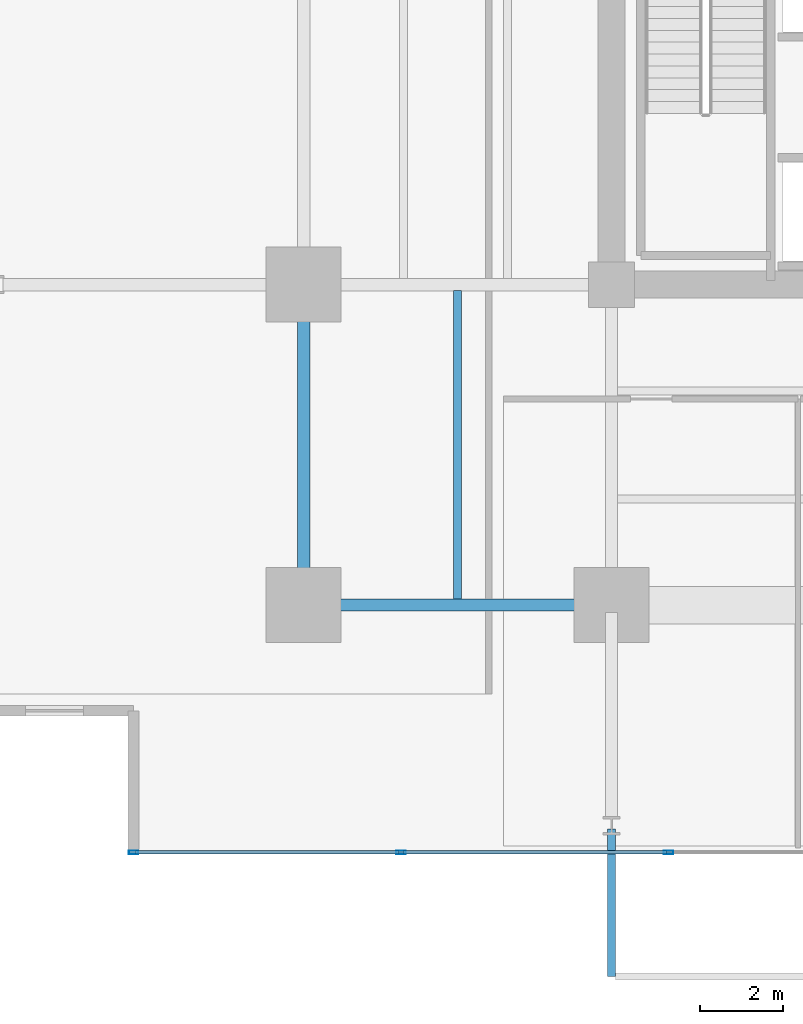
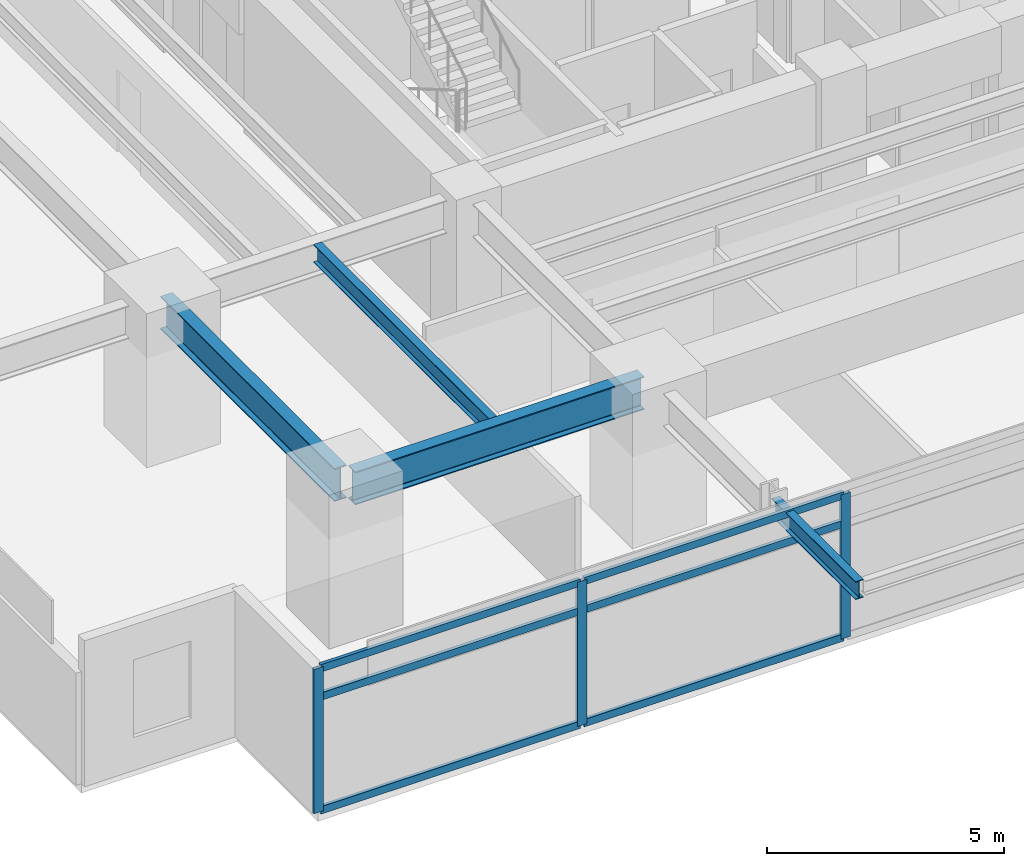
# One storey, part 2 of 19: 9 members, 4 beams, 1 element without a shape of its own.
"""IFC4 building model written with IfcOpenShell, lengths in metres."""

from ifc_helpers import new_model, si_unit, direction, frame, origin, origin_2d, place, context, subcontext, project, spatial, hollow_rectangle, i_section, extrude, material, material_profile, profile_set, type_object, element, aggregate, save


model = new_model("IFC4")

# Units and contexts
model_context = context("Model", 3, precision=1e-05, world=origin(), true_north=direction((0.0, 1.0)))
body_context = subcontext(model_context, "Body", "Model", "MODEL_VIEW")
ifc_project = project(units=[si_unit("LENGTHUNIT", "METRE"), si_unit("AREAUNIT", "SQUARE_METRE"), si_unit("VOLUMEUNIT", "CUBIC_METRE"), si_unit("PLANEANGLEUNIT", "RADIAN"), si_unit("MASSUNIT", "GRAM", prefix="KILO")], contexts=[model_context])

# Site, building, storey
site_placement = place(None, origin())
site = spatial("IfcSite", under=ifc_project, at=site_placement, CompositionType="ELEMENT")
building_placement = place(site_placement, origin())
building = spatial("IfcBuilding", under=site, at=building_placement, Name="Kovane Verandah Tower", CompositionType="ELEMENT")
storey_placement = place(building_placement, frame((0.0, 0.0, 83.60009765625)))
storey = spatial("IfcBuildingStorey", under=building, at=storey_placement, Name="L19", CompositionType="ELEMENT", Elevation=83.60009765625)

# Beams
ifc_material_1 = material(Name="Steel S355", Category="steel")
ifc_material_profile_1 = material_profile(ifc_material_1, i_section(OverallWidth=0.293701171875, OverallDepth=0.850830078125, WebThickness=0.01611328125, FlangeThickness=0.02685546875, FilletRadius=0.017822265625, at=origin_2d()), Name="UB838x292x226")
ifc_profile_set_1 = profile_set([ifc_material_profile_1], Name="Steel S355")
beam_type_1 = type_object("IfcBeamType", Name="BM-UB838x226", PredefinedType="BEAM", material=ifc_profile_set_1)
beam_1_placement = place(storey_placement, frame((21.780029296875, 10.800048828125, 3.33447265625), z_axis=(1.0, 0.0, 0.0), x_axis=(0.0, 1.0, 0.0)))
element("IfcBeam", 1, at=beam_1_placement, inside=storey, type_object=beam_type_1, Name="L19 Primary Tower Girder G-RS1", PredefinedType="BEAM", context=body_context, shape_type="SweptSolid", body=[
    extrude(i_section(OverallWidth=0.293701171875, OverallDepth=0.850830078125, WebThickness=0.01611328125, FlangeThickness=0.02685546875, FilletRadius=0.017822265625, at=origin_2d()), origin(), (0.0, 0.0, 1.0), 7.0400390625),
])
beam_2_placement = place(storey_placement, frame((21.60009765625, 10.97998046875, 3.33447265625), z_axis=(0.0, 1.0, 0.0), x_axis=(-1.0, 0.0, 0.0)))
element("IfcBeam", 2, at=beam_2_placement, inside=storey, type_object=beam_type_1, Name="L19 Primary Tower Girder G-RW1", PredefinedType="BEAM", context=body_context, shape_type="SweptSolid", body=[
    extrude(i_section(OverallWidth=0.293701171875, OverallDepth=0.850830078125, WebThickness=0.01611328125, FlangeThickness=0.02685546875, FilletRadius=0.017822265625, at=origin_2d()), origin(), (0.0, 0.0, 1.0), 7.340087890625),
])

# Curtain wall, members
ifc_material_2 = material(Name="Champagne Anodised Aluminium Frame with Low-E Clear Laminated Glass", Category="aluminium")
curtain_wall_type = type_object("IfcCurtainWallType", Name="CW-SYS-02-LOW", PredefinedType="NOTDEFINED", material=ifc_material_2)
curtain_wall_placement = place(storey_placement, origin())
curtain_wall = element("IfcCurtainWall", 3, at=curtain_wall_placement, inside=storey, type_object=curtain_wall_type, Name="L19 S Unitised Curtain Wall", PredefinedType="NOTDEFINED")
ifc_material_3 = material(Name="Champagne Anodised Aluminium 6063-T6", Category="aluminium")
ifc_material_profile_2 = material_profile(ifc_material_3, hollow_rectangle(XDim=0.0849609375, YDim=0.22998046875, WallThickness=0.00390625, at=origin_2d()), Name="AL85x230x4")
ifc_profile_set_2 = profile_set([ifc_material_profile_2], Name="Champagne Anodised Aluminium 6063-T6")
member_type_1 = type_object("IfcMemberType", Name="CW-MUL-85x230", PredefinedType="MULLION", material=ifc_profile_set_2)
member_1_placement = place(storey_placement, frame((17.515380859375, 4.86083984375, 0.02001953125), z_axis=(0.0, 0.0, 1.0), x_axis=(0.0, -1.0, 0.0)))
member_1 = element("IfcMember", 4, at=member_1_placement, type_object=member_type_1, Name="L19 S Unitised Curtain Wall Mullion 1", PredefinedType="MULLION", context=body_context, shape_type="SweptSolid", body=[
    extrude(hollow_rectangle(XDim=0.0849609375, YDim=0.22998046875, WallThickness=0.00390625, at=origin_2d()), origin(), (0.0, 0.0, 1.0), 3.719970703125),
])
member_2_placement = place(storey_placement, frame((23.939697265625, 4.86083984375, 0.02001953125), z_axis=(0.0, 0.0, 1.0), x_axis=(0.0, -1.0, 0.0)))
member_2 = element("IfcMember", 5, at=member_2_placement, type_object=member_type_1, Name="L19 S Unitised Curtain Wall Mullion 2", PredefinedType="MULLION", context=body_context, shape_type="SweptSolid", body=[
    extrude(hollow_rectangle(XDim=0.0849609375, YDim=0.22998046875, WallThickness=0.00390625, at=origin_2d()), origin(), (0.0, 0.0, 1.0), 3.719970703125),
])
member_3_placement = place(storey_placement, frame((30.36376953125, 4.86083984375, 0.02001953125), z_axis=(0.0, 0.0, 1.0), x_axis=(0.0, -1.0, 0.0)))
member_3 = element("IfcMember", 6, at=member_3_placement, type_object=member_type_1, Name="L19 S Unitised Curtain Wall Mullion 3", PredefinedType="MULLION", context=body_context, shape_type="SweptSolid", body=[
    extrude(hollow_rectangle(XDim=0.0849609375, YDim=0.22998046875, WallThickness=0.00390625, at=origin_2d()), origin(), (0.0, 0.0, 1.0), 3.719970703125),
])
ifc_material_profile_3 = material_profile(ifc_material_3, hollow_rectangle(XDim=0.0849609375, YDim=0.18994140625, WallThickness=0.00390625, at=origin_2d()), Name="AL85x190x4")
ifc_profile_set_3 = profile_set([ifc_material_profile_3], Name="Champagne Anodised Aluminium 6063-T6")
member_type_2 = type_object("IfcMemberType", Name="CW-TRN-85x190", PredefinedType="USERDEFINED", material=ifc_profile_set_3)
member_4_placement = place(storey_placement, frame((17.5654296875, 4.86083984375, 0.0498046875), z_axis=(1.0, 0.0, 0.0), x_axis=(0.0, 1.0, 0.0)))
member_4 = element("IfcMember", 7, at=member_4_placement, type_object=member_type_2, Name="L19 S Unitised Curtain Wall Transom TB Bay 1", ObjectType="TRANSOM", PredefinedType="USERDEFINED", context=body_context, shape_type="SweptSolid", body=[
    extrude(hollow_rectangle(XDim=0.0849609375, YDim=0.18994140625, WallThickness=0.00390625, at=origin_2d()), origin(), (0.0, 0.0, 1.0), 6.32421875),
])
member_5_placement = place(storey_placement, frame((17.5654296875, 4.86083984375, 2.97998046875), z_axis=(1.0, 0.0, 0.0), x_axis=(0.0, 1.0, 0.0)))
member_5 = element("IfcMember", 8, at=member_5_placement, type_object=member_type_2, Name="L19 S Unitised Curtain Wall Transom TM Bay 1", ObjectType="TRANSOM", PredefinedType="USERDEFINED", context=body_context, shape_type="SweptSolid", body=[
    extrude(hollow_rectangle(XDim=0.0849609375, YDim=0.18994140625, WallThickness=0.00390625, at=origin_2d()), origin(), (0.0, 0.0, 1.0), 6.32421875),
])
member_6_placement = place(storey_placement, frame((17.5654296875, 4.86083984375, 3.7099609375), z_axis=(1.0, 0.0, 0.0), x_axis=(0.0, 1.0, 0.0)))
member_6 = element("IfcMember", 9, at=member_6_placement, type_object=member_type_2, Name="L19 S Unitised Curtain Wall Transom TT Bay 1", ObjectType="TRANSOM", PredefinedType="USERDEFINED", context=body_context, shape_type="SweptSolid", body=[
    extrude(hollow_rectangle(XDim=0.0849609375, YDim=0.18994140625, WallThickness=0.00390625, at=origin_2d()), origin(), (0.0, 0.0, 1.0), 6.32421875),
])
member_7_placement = place(storey_placement, frame((23.989501953125, 4.86083984375, 0.0498046875), z_axis=(1.0, 0.0, 0.0), x_axis=(0.0, 1.0, 0.0)))
member_7 = element("IfcMember", 10, at=member_7_placement, type_object=member_type_2, Name="L19 S Unitised Curtain Wall Transom TB Bay 2", ObjectType="TRANSOM", PredefinedType="USERDEFINED", context=body_context, shape_type="SweptSolid", body=[
    extrude(hollow_rectangle(XDim=0.0849609375, YDim=0.18994140625, WallThickness=0.00390625, at=origin_2d()), origin(), (0.0, 0.0, 1.0), 6.32421875),
])
member_8_placement = place(storey_placement, frame((23.989501953125, 4.86083984375, 2.97998046875), z_axis=(1.0, 0.0, 0.0), x_axis=(0.0, 1.0, 0.0)))
member_8 = element("IfcMember", 11, at=member_8_placement, type_object=member_type_2, Name="L19 S Unitised Curtain Wall Transom TM Bay 2", ObjectType="TRANSOM", PredefinedType="USERDEFINED", context=body_context, shape_type="SweptSolid", body=[
    extrude(hollow_rectangle(XDim=0.0849609375, YDim=0.18994140625, WallThickness=0.00390625, at=origin_2d()), origin(), (0.0, 0.0, 1.0), 6.32421875),
])
member_9_placement = place(storey_placement, frame((23.989501953125, 4.86083984375, 3.7099609375), z_axis=(1.0, 0.0, 0.0), x_axis=(0.0, 1.0, 0.0)))
member_9 = element("IfcMember", 12, at=member_9_placement, type_object=member_type_2, Name="L19 S Unitised Curtain Wall Transom TT Bay 2", ObjectType="TRANSOM", PredefinedType="USERDEFINED", context=body_context, shape_type="SweptSolid", body=[
    extrude(hollow_rectangle(XDim=0.0849609375, YDim=0.18994140625, WallThickness=0.00390625, at=origin_2d()), origin(), (0.0, 0.0, 1.0), 6.32421875),
])
aggregate(curtain_wall, [member_1, member_2, member_3, member_4, member_5, member_6, member_7, member_8, member_9])

# Beams
ifc_material_profile_4 = material_profile(ifc_material_1, i_section(OverallWidth=0.19287109375, OverallDepth=0.46728515625, WebThickness=0.011474609375, FlangeThickness=0.01953125, FilletRadius=0.01025390625, at=origin_2d()), Name="UB457x191x98")
ifc_profile_set_4 = profile_set([ifc_material_profile_4], Name="Steel S355")
beam_type_2 = type_object("IfcBeamType", Name="JST-UB457x98", PredefinedType="JOIST", material=ifc_profile_set_4)
beam_3_placement = place(storey_placement, frame((25.300048828125, 10.94482421875, 3.5263671875), z_axis=(0.0, 1.0, 0.0), x_axis=(-1.0, 0.0, 0.0)))
element("IfcBeam", 13, at=beam_3_placement, inside=storey, type_object=beam_type_2, Name="L19 Secondary Composite Joist J-SW1", PredefinedType="JOIST", context=body_context, shape_type="SweptSolid", body=[
    extrude(i_section(OverallWidth=0.19287109375, OverallDepth=0.46728515625, WebThickness=0.011474609375, FlangeThickness=0.01953125, FilletRadius=0.01025390625, at=origin_2d()), origin(), (0.0, 0.0, 1.0), 7.41015625),
])
beam_4_placement = place(storey_placement, frame((29.0, 5.419921875, 3.5263671875), z_axis=(0.0, -1.0, 0.0), x_axis=(1.0, 0.0, 0.0)))
element("IfcBeam", 14, at=beam_4_placement, inside=storey, type_object=beam_type_2, Name="L19 South Planter Girder 1", PredefinedType="JOIST", context=body_context, shape_type="SweptSolid", body=[
    extrude(i_section(OverallWidth=0.19287109375, OverallDepth=0.46728515625, WebThickness=0.011474609375, FlangeThickness=0.01953125, FilletRadius=0.01025390625, at=origin_2d()), origin(), (0.0, 0.0, 1.0), 3.540771484375),
])

save(model, "model.ifc")
